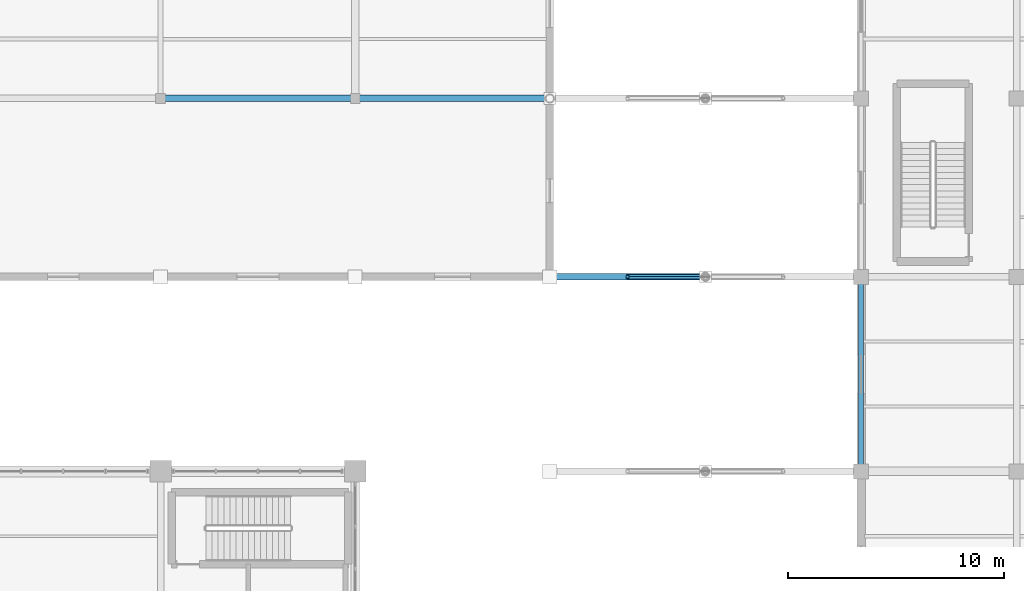
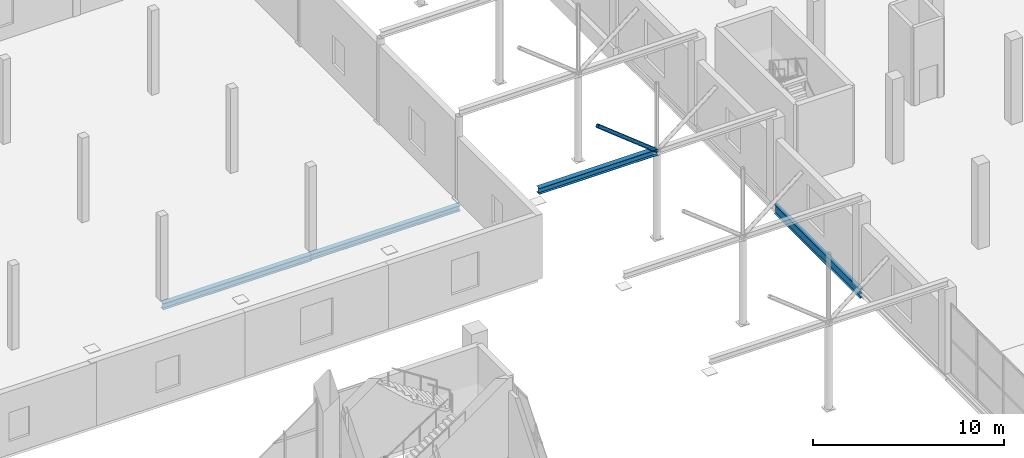
# One storey, part 61 of 147: 4 beams, 1 member.
"""IFC4 building model written with IfcOpenShell, lengths in metres."""

from ifc_helpers import new_model, si_unit, direction, frame, origin, origin_2d, place, context, subcontext, project, spatial, hollow_circle, i_section, extrude, material, material_profile, profile_set, type_object, element, save


model = new_model("IFC4")

# Units and contexts
model_context = context("Model", 3, precision=1e-05, world=origin(), true_north=direction((0.0, 1.0)))
body_context = subcontext(model_context, "Body", "Model", "MODEL_VIEW")
ifc_project = project(units=[si_unit("LENGTHUNIT", "METRE"), si_unit("AREAUNIT", "SQUARE_METRE"), si_unit("VOLUMEUNIT", "CUBIC_METRE"), si_unit("PLANEANGLEUNIT", "RADIAN"), si_unit("MASSUNIT", "GRAM", prefix="KILO")], contexts=[model_context])

# Site, building, storey
site_placement = place(None, origin())
site = spatial("IfcSite", under=ifc_project, at=site_placement, CompositionType="ELEMENT")
building_placement = place(site_placement, origin())
building = spatial("IfcBuilding", under=site, at=building_placement, Name="Sundgate Opera House", CompositionType="ELEMENT")
storey_placement = place(building_placement, frame((0.0, 0.0, 6.0)))
storey = spatial("IfcBuildingStorey", under=building, at=storey_placement, Name="L01", CompositionType="ELEMENT", Elevation=6.0)

# Beams
ifc_material_1 = material(Name="Steel S355J2", Category="steel")
ifc_material_profile_1 = material_profile(ifc_material_1, i_section(OverallWidth=0.300048828125, OverallDepth=0.389892578125, WebThickness=0.010986328125, FlangeThickness=0.01904296875, at=origin_2d()), Name="HEA 400")
ifc_profile_set_1 = profile_set([ifc_material_profile_1], Name="Steel S355J2")
beam_type_1 = type_object("IfcBeamType", Name="BM-GR-HEA400", PredefinedType="BEAM", material=ifc_profile_set_1)
beam_1_placement = place(storey_placement, frame((81.0, 87.0, 5.5849609375), z_axis=(1.0, 0.0, 0.0), x_axis=(0.0, 1.0, 0.0)))
element("IfcBeam", 1, at=beam_1_placement, inside=storey, type_object=beam_type_1, Name="L01 Passage Arch Tie Beam B3411", PredefinedType="BEAM", context=body_context, shape_type="SweptSolid", body=[
    extrude(i_section(OverallWidth=0.300048828125, OverallDepth=0.389892578125, WebThickness=0.010986328125, FlangeThickness=0.01904296875, at=origin_2d()), origin(), (0.0, 0.0, 1.0), 7.199951171875),
])
ifc_material_2 = material(Name="Steel S355J2", Category="steel")
ifc_material_profile_2 = material_profile(ifc_material_2, i_section(OverallWidth=0.300048828125, OverallDepth=0.360107421875, WebThickness=0.012451171875, FlangeThickness=0.0224609375, at=origin_2d()), Name="HEB 360")
ifc_profile_set_2 = profile_set([ifc_material_profile_2], Name="Steel S355J2")
beam_type_2 = type_object("IfcBeamType", Name="BM-GR-HEB360", PredefinedType="BEAM", material=ifc_profile_set_2)
beam_2_placement = place(storey_placement, frame((72.0, 95.25, -0.47998046875), z_axis=(1.0, 0.0, 0.0), x_axis=(0.0, 1.0, 0.0)))
element("IfcBeam", 2, at=beam_2_placement, inside=storey, type_object=beam_type_2, Name="L01 Primary E-W Girder B1409", PredefinedType="BEAM", context=body_context, shape_type="SweptSolid", body=[
    extrude(i_section(OverallWidth=0.300048828125, OverallDepth=0.360107421875, WebThickness=0.012451171875, FlangeThickness=0.0224609375, at=origin_2d()), origin(), (0.0, 0.0, 1.0), 9.0),
])
ifc_material_3 = material(Name="Steel S355J2", Category="steel")
ifc_material_profile_3 = material_profile(ifc_material_3, i_section(OverallWidth=0.300048828125, OverallDepth=0.39990234375, WebThickness=0.013427734375, FlangeThickness=0.02392578125, at=origin_2d()), Name="HEB 400")
ifc_profile_set_3 = profile_set([ifc_material_profile_3], Name="Steel S355J2")
beam_type_3 = type_object("IfcBeamType", Name="BM-GR-HEB400", PredefinedType="BEAM", material=ifc_profile_set_3)
beam_3_placement = place(storey_placement, frame((63.0, 95.25, -0.5), z_axis=(1.0, 0.0, 0.0), x_axis=(0.0, 1.0, 0.0)))
element("IfcBeam", 3, at=beam_3_placement, inside=storey, type_object=beam_type_3, Name="L01 Primary E-W Girder B1408", PredefinedType="BEAM", context=body_context, shape_type="SweptSolid", body=[
    extrude(i_section(OverallWidth=0.300048828125, OverallDepth=0.39990234375, WebThickness=0.013427734375, FlangeThickness=0.02392578125, at=origin_2d()), origin(), (0.0, 0.0, 1.0), 9.0),
])
ifc_material_4 = material(Name="Steel S355J2", Category="steel")
ifc_material_profile_4 = material_profile(ifc_material_4, i_section(OverallWidth=0.219970703125, OverallDepth=0.60009765625, WebThickness=0.011962890625, FlangeThickness=0.01904296875, at=origin_2d()), Name="IPE 600")
ifc_profile_set_4 = profile_set([ifc_material_profile_4], Name="Steel S355J2")
beam_type_4 = type_object("IfcBeamType", Name="BM-GR-IPE600", PredefinedType="BEAM", material=ifc_profile_set_4)
beam_4_placement = place(storey_placement, frame((95.39990234375, 78.0, -0.60009765625), z_axis=(0.0, 1.0, 0.0), x_axis=(-1.0, 0.0, 0.0)))
element("IfcBeam", 4, at=beam_4_placement, inside=storey, type_object=beam_type_4, Name="L01 Primary N-S Girder B1152", PredefinedType="BEAM", context=body_context, shape_type="SweptSolid", body=[
    extrude(i_section(OverallWidth=0.219970703125, OverallDepth=0.60009765625, WebThickness=0.011962890625, FlangeThickness=0.01904296875, at=origin_2d()), origin(), (0.0, 0.0, 1.0), 9.0),
])

# Member
ifc_material_5 = material(Name="Steel S355J2", Category="steel")
ifc_material_profile_5 = material_profile(ifc_material_5, hollow_circle(Radius=0.122314453125, WallThickness=0.012451171875, at=origin_2d()), Name="CHS 244.5x12.5")
ifc_profile_set_5 = profile_set([ifc_material_profile_5], Name="Steel S355J2")
member_type = type_object("IfcMemberType", Name="MB-STRUT-CHS244", PredefinedType="STRUT", material=ifc_profile_set_5)
member_placement = place(storey_placement, frame((88.199951171875, 87.0, 5.594970703125), z_axis=(-0.78350570776, 0.0, 0.621384587762), x_axis=(0.0, -1.0, 0.0)))
element("IfcMember", 5, at=member_placement, inside=storey, type_object=member_type, Name="Passage Arch Spandrel Strut M0346", PredefinedType="STRUT", context=body_context, shape_type="SweptSolid", body=[
    extrude(hollow_circle(Radius=0.122314453125, WallThickness=0.012451171875, at=origin_2d()), origin(), (0.0, 0.0, 1.0), 4.594482421875),
])

save(model, "model.ifc")
